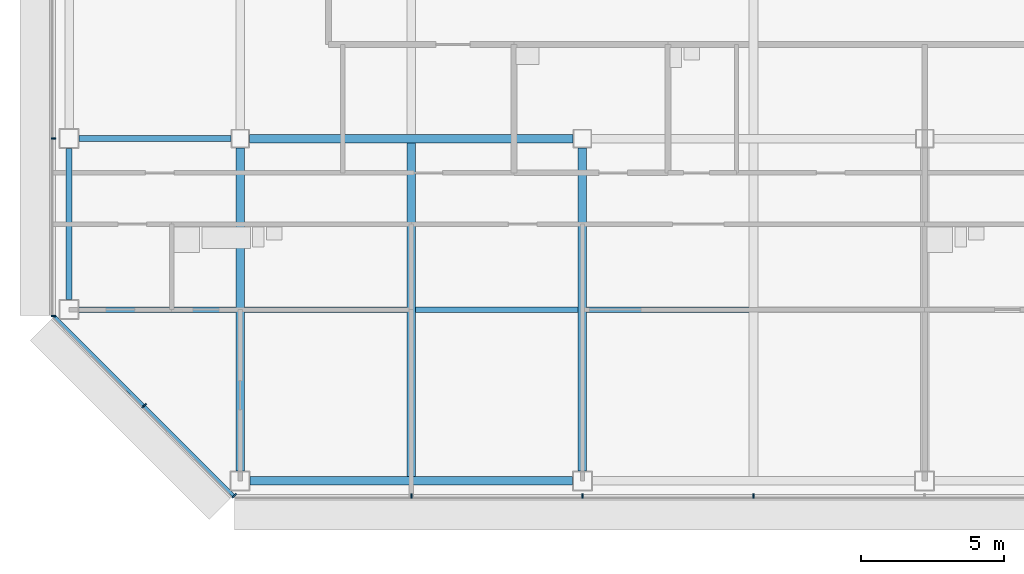
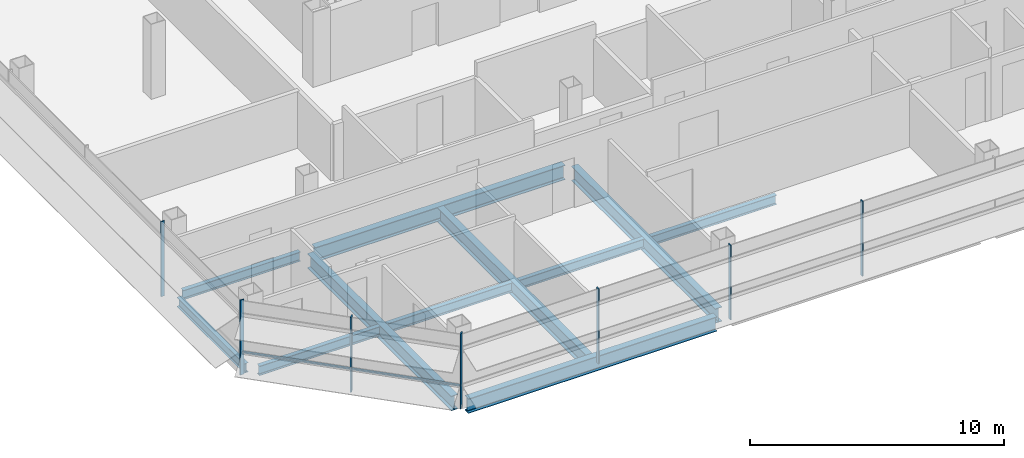
# One storey, part 2 of 27: 11 beams, 8 members, 3 elements without a shape of their own.
"""IFC4 building model written with IfcOpenShell, lengths in metres."""

from ifc_helpers import new_model, si_unit, direction, frame, origin, origin_2d, place, context, subcontext, project, spatial, rectangle, i_section, extrude, material, material_profile, profile_set, type_object, element, aggregate, save


model = new_model("IFC4")

# Units and contexts
model_context = context("Model", 3, precision=1e-05, world=origin(), true_north=direction((0.0, 1.0)))
body_context = subcontext(model_context, "Body", "Model", "MODEL_VIEW")
ifc_project = project(units=[si_unit("LENGTHUNIT", "METRE"), si_unit("AREAUNIT", "SQUARE_METRE"), si_unit("VOLUMEUNIT", "CUBIC_METRE"), si_unit("PLANEANGLEUNIT", "RADIAN"), si_unit("MASSUNIT", "GRAM", prefix="KILO")], contexts=[model_context])

# Site, building, storey
site_placement = place(None, origin())
site = spatial("IfcSite", under=ifc_project, at=site_placement, CompositionType="ELEMENT")
building_placement = place(site_placement, origin())
building = spatial("IfcBuilding", under=site, at=building_placement, Name="Sorahane Residences", CompositionType="ELEMENT")
storey_placement = place(building_placement, frame((0.0, 0.0, 167.199951171875)))
storey = spatial("IfcBuildingStorey", under=building, at=storey_placement, Name="L38", CompositionType="ELEMENT", Elevation=167.199951171875)

# Curtain wall, members
ifc_material_1 = material(Name="Dark low-e glass and black anodised aluminium", Category="aluminium")
curtain_wall_type_1 = type_object("IfcCurtainWallType", Name="Curtain wall CW-1 Typical unitised wall", PredefinedType="NOTDEFINED", material=ifc_material_1)
curtain_wall_1_placement = place(storey_placement, origin())
curtain_wall_1 = element("IfcCurtainWall", 1, at=curtain_wall_1_placement, inside=storey, type_object=curtain_wall_type_1, Name="CW-1 curtain wall L38 W1", PredefinedType="NOTDEFINED")
ifc_material_2 = material(Name="Black anodised aluminium", Category="aluminium")
ifc_material_profile_1 = material_profile(ifc_material_2, rectangle(XDim=0.159912109375, YDim=0.050048828125, at=origin_2d()), Name="Curtain wall mullion CW-1 black anodised aluminium 50x160")
ifc_profile_set_1 = profile_set([ifc_material_profile_1], Name="Black anodised aluminium")
member_type_1 = type_object("IfcMemberType", Name="Curtain wall mullion CW-1 black anodised aluminium 50x160", PredefinedType="MULLION", material=ifc_profile_set_1)
member_1_placement = place(storey_placement, frame((-6.5400390625, 12.0, -0.179931640625), z_axis=(0.0, 0.0, 1.0), x_axis=(-1.0, 0.0, 0.0)))
member_1 = element("IfcMember", 2, at=member_1_placement, type_object=member_type_1, Name="CW-1 mullion L38 W1.6", PredefinedType="MULLION", context=body_context, shape_type="SweptSolid", body=[
    extrude(rectangle(XDim=0.159912109375, YDim=0.050048828125, at=origin_2d()), origin(), (0.0, 0.0, 1.0), 3.60009765625),
])
member_2_placement = place(storey_placement, frame((-6.5400390625, 5.7763671875, -0.179931640625), z_axis=(0.0, 0.0, 1.0), x_axis=(-1.0, 0.0, 0.0)))
member_2 = element("IfcMember", 3, at=member_2_placement, type_object=member_type_1, Name="CW-1 mullion L38 W1.7", PredefinedType="MULLION", context=body_context, shape_type="SweptSolid", body=[
    extrude(rectangle(XDim=0.159912109375, YDim=0.050048828125, at=origin_2d()), origin(), (0.0, 0.0, 1.0), 3.60009765625),
])
aggregate(curtain_wall_1, [member_1, member_2])

curtain_wall_2_placement = place(storey_placement, origin())
curtain_wall_2 = element("IfcCurtainWall", 4, at=curtain_wall_2_placement, inside=storey, type_object=curtain_wall_type_1, Name="CW-1 curtain wall L38 S2", PredefinedType="NOTDEFINED")
member_3_placement = place(storey_placement, frame((6.0, -0.5400390625, -0.179931640625), z_axis=(0.0, 0.0, 1.0), x_axis=(0.0, -1.0, 0.0)))
member_3 = element("IfcMember", 5, at=member_3_placement, type_object=member_type_1, Name="CW-1 mullion L38 S2.2", PredefinedType="MULLION", context=body_context, shape_type="SweptSolid", body=[
    extrude(rectangle(XDim=0.159912109375, YDim=0.050048828125, at=origin_2d()), origin(), (0.0, 0.0, 1.0), 3.60009765625),
])
member_4_placement = place(storey_placement, frame((12.0, -0.5400390625, -0.179931640625), z_axis=(0.0, 0.0, 1.0), x_axis=(0.0, -1.0, 0.0)))
member_4 = element("IfcMember", 6, at=member_4_placement, type_object=member_type_1, Name="CW-1 mullion L38 S2.3", PredefinedType="MULLION", context=body_context, shape_type="SweptSolid", body=[
    extrude(rectangle(XDim=0.159912109375, YDim=0.050048828125, at=origin_2d()), origin(), (0.0, 0.0, 1.0), 3.60009765625),
])
member_5_placement = place(storey_placement, frame((18.0, -0.5400390625, -0.179931640625), z_axis=(0.0, 0.0, 1.0), x_axis=(0.0, -1.0, 0.0)))
member_5 = element("IfcMember", 7, at=member_5_placement, type_object=member_type_1, Name="CW-1 mullion L38 S2.4", PredefinedType="MULLION", context=body_context, shape_type="SweptSolid", body=[
    extrude(rectangle(XDim=0.159912109375, YDim=0.050048828125, at=origin_2d()), origin(), (0.0, 0.0, 1.0), 3.60009765625),
])
aggregate(curtain_wall_2, [member_3, member_4, member_5])

ifc_material_3 = material(Name="Dark low-e glass and black anodised aluminium", Category="aluminium")
curtain_wall_type_2 = type_object("IfcCurtainWallType", Name="Curtain wall CW-2 Chamfer unitised wall", PredefinedType="NOTDEFINED", material=ifc_material_3)
curtain_wall_3_placement = place(storey_placement, origin())
curtain_wall_3 = element("IfcCurtainWall", 8, at=curtain_wall_3_placement, inside=storey, type_object=curtain_wall_type_2, Name="CW-2 curtain wall L38 SW1", PredefinedType="NOTDEFINED")
ifc_material_4 = material(Name="Black anodised aluminium", Category="aluminium")
ifc_material_profile_2 = material_profile(ifc_material_4, rectangle(XDim=0.199951171875, YDim=0.050048828125, at=origin_2d()), Name="Curtain wall mullion CW-2 black anodised aluminium 50x200")
ifc_profile_set_2 = profile_set([ifc_material_profile_2], Name="Black anodised aluminium")
member_type_2 = type_object("IfcMemberType", Name="Curtain wall mullion CW-2 black anodised aluminium 50x200", PredefinedType="MULLION", material=ifc_profile_set_2)
member_6_placement = place(storey_placement, frame((-3.36767578125, 2.63232421875, -0.179931640625), z_axis=(0.0, 0.0, 1.0), x_axis=(-0.707106781187, -0.707106781187, 0.0)))
member_6 = element("IfcMember", 9, at=member_6_placement, type_object=member_type_2, Name="CW-2 mullion L38 SW1.2", PredefinedType="MULLION", context=body_context, shape_type="SweptSolid", body=[
    extrude(rectangle(XDim=0.199951171875, YDim=0.050048828125, at=origin_2d()), origin(), (0.0, 0.0, 1.0), 3.60009765625),
])
member_7_placement = place(storey_placement, frame((-0.209716796875, -0.525634765625, -0.179931640625), z_axis=(0.0, 0.0, 1.0), x_axis=(-0.707106781187, -0.707106781187, 0.0)))
member_7 = element("IfcMember", 10, at=member_7_placement, type_object=member_type_2, Name="CW-2 mullion L38 SW1.3", PredefinedType="MULLION", context=body_context, shape_type="SweptSolid", body=[
    extrude(rectangle(XDim=0.199951171875, YDim=0.050048828125, at=origin_2d()), origin(), (0.0, 0.0, 1.0), 3.60009765625),
])
ifc_material_5 = material(Name="Black anodised aluminium", Category="aluminium")
ifc_material_profile_3 = material_profile(ifc_material_5, rectangle(XDim=0.10009765625, YDim=0.06005859375, at=origin_2d()), Name="Curtain wall transom CW-2 black anodised aluminium 60x100")
ifc_profile_set_3 = profile_set([ifc_material_profile_3], Name="Black anodised aluminium")
member_type_3 = type_object("IfcMemberType", Name="Curtain wall transom CW-2 black anodised aluminium 60x100", PredefinedType="USERDEFINED", material=ifc_profile_set_3)
member_8_placement = place(storey_placement, frame((-6.51513671875, 5.765625, 0.900146484375), z_axis=(0.707106781187, -0.707106781187, 0.0), x_axis=(0.707106781187, 0.707106781187, 0.0)))
member_8 = element("IfcMember", 11, at=member_8_placement, type_object=member_type_3, Name="CW-2 transom L38 SW1", ObjectType="TRANSOM", PredefinedType="USERDEFINED", context=body_context, shape_type="SweptSolid", body=[
    extrude(rectangle(XDim=0.10009765625, YDim=0.06005859375, at=origin_2d()), origin(), (0.0, 0.0, 1.0), 8.88232421875),
])
aggregate(curtain_wall_3, [member_6, member_7, member_8])

# Beams
ifc_material_6 = material(Name="Steel Q355B", Category="steel")
ifc_material_profile_4 = material_profile(ifc_material_6, i_section(OverallWidth=0.199951171875, OverallDepth=0.449951171875, WebThickness=0.009033203125, FlangeThickness=0.013916015625, FilletRadius=0.02001953125, at=origin_2d()), Name="HN 450x200x9x14")
ifc_profile_set_4 = profile_set([ifc_material_profile_4], Name="Steel Q355B")
beam_type_1 = type_object("IfcBeamType", Name="Steel floor beam HN 450x200x9x14 Q355B", PredefinedType="BEAM", material=ifc_profile_set_4)
beam_1_placement = place(storey_placement, frame((-5.64990234375, 12.0, -0.405029296875), z_axis=(1.0, 0.0, 0.0), x_axis=(0.0, 1.0, 0.0)))
element("IfcBeam", 12, at=beam_1_placement, inside=storey, type_object=beam_type_1, Name="Beam L38 005", PredefinedType="BEAM", context=body_context, shape_type="SweptSolid", body=[
    extrude(i_section(OverallWidth=0.199951171875, OverallDepth=0.449951171875, WebThickness=0.009033203125, FlangeThickness=0.013916015625, FilletRadius=0.02001953125, at=origin_2d()), origin(), (0.0, 0.0, 1.0), 5.324951171875),
])
beam_2_placement = place(storey_placement, frame((-6.0, 6.35009765625, -0.405029296875), z_axis=(0.0, 1.0, 0.0), x_axis=(-1.0, 0.0, 0.0)))
element("IfcBeam", 13, at=beam_2_placement, inside=storey, type_object=beam_type_1, Name="Beam L38 020", PredefinedType="BEAM", context=body_context, shape_type="SweptSolid", body=[
    extrude(i_section(OverallWidth=0.199951171875, OverallDepth=0.449951171875, WebThickness=0.009033203125, FlangeThickness=0.013916015625, FilletRadius=0.02001953125, at=origin_2d()), origin(), (0.0, 0.0, 1.0), 5.2998046875),
])
beam_3_placement = place(storey_placement, frame((-5.64990234375, 6.0, -0.405029296875), z_axis=(1.0, 0.0, 0.0), x_axis=(0.0, 1.0, 0.0)))
element("IfcBeam", 14, at=beam_3_placement, inside=storey, type_object=beam_type_1, Name="Beam L38 066", PredefinedType="BEAM", context=body_context, shape_type="SweptSolid", body=[
    extrude(i_section(OverallWidth=0.199951171875, OverallDepth=0.449951171875, WebThickness=0.009033203125, FlangeThickness=0.013916015625, FilletRadius=0.02001953125, at=origin_2d()), origin(), (0.0, 0.0, 1.0), 5.5),
])
for number, where, z_axis, x_axis, name in (
    (15, (0.14990234375, 6.0, -0.405029296875), (1.0, 0.0, 0.0), (0.0, 1.0, 0.0), "Beam L38 067"),
    (16, (6.14990234375, 6.0, -0.405029296875), (1.0, 0.0, 0.0), (0.0, 1.0, 0.0), "Beam L38 068"),
    (17, (12.14990234375, 6.0, -0.405029296875), (1.0, 0.0, 0.0), (0.0, 1.0, 0.0), "Beam L38 069"),
):
    element("IfcBeam", number, at=place(storey_placement, frame(where, z_axis=z_axis, x_axis=x_axis)), inside=storey, type_object=beam_type_1, Name=name, PredefinedType="BEAM", context=body_context, shape_type="SweptSolid", body=[
        extrude(i_section(OverallWidth=0.199951171875, OverallDepth=0.449951171875, WebThickness=0.009033203125, FlangeThickness=0.013916015625, FilletRadius=0.02001953125, at=origin_2d()), origin(), (0.0, 0.0, 1.0), 5.7001953125),
    ])
ifc_material_7 = material(Name="Steel Q355B", Category="steel")
ifc_material_profile_5 = material_profile(ifc_material_7, i_section(OverallWidth=0.300048828125, OverallDepth=0.699951171875, WebThickness=0.012939453125, FlangeThickness=0.02392578125, FilletRadius=0.028076171875, at=origin_2d()), Name="HN 700x300x13x24")
ifc_profile_set_5 = profile_set([ifc_material_profile_5], Name="Steel Q355B")
beam_type_2 = type_object("IfcBeamType", Name="Steel floor beam HN 700x300x13x24 Q355B", PredefinedType="BEAM", material=ifc_profile_set_5)
beam_4_placement = place(storey_placement, frame((0.35009765625, 0.0, -0.530029296875), z_axis=(1.0, 0.0, 0.0), x_axis=(0.0, 1.0, 0.0)))
element("IfcBeam", 18, at=beam_4_placement, inside=storey, type_object=beam_type_2, Name="Beam L38 000", PredefinedType="BEAM", context=body_context, shape_type="SweptSolid", body=[
    extrude(i_section(OverallWidth=0.300048828125, OverallDepth=0.699951171875, WebThickness=0.012939453125, FlangeThickness=0.02392578125, FilletRadius=0.028076171875, at=origin_2d()), origin(), (0.0, 0.0, 1.0), 11.2998046875),
])
beam_5_placement = place(storey_placement, frame((0.324951171875, 12.0, -0.530029296875), z_axis=(1.0, 0.0, 0.0), x_axis=(0.0, 1.0, 0.0)))
element("IfcBeam", 19, at=beam_5_placement, inside=storey, type_object=beam_type_2, Name="Beam L38 006", PredefinedType="BEAM", context=body_context, shape_type="SweptSolid", body=[
    extrude(i_section(OverallWidth=0.300048828125, OverallDepth=0.699951171875, WebThickness=0.012939453125, FlangeThickness=0.02392578125, FilletRadius=0.028076171875, at=origin_2d()), origin(), (0.0, 0.0, 1.0), 11.35009765625),
])
beam_6_placement = place(storey_placement, frame((0.0, 0.35009765625, -0.530029296875), z_axis=(0.0, 1.0, 0.0), x_axis=(-1.0, 0.0, 0.0)))
element("IfcBeam", 20, at=beam_6_placement, inside=storey, type_object=beam_type_2, Name="Beam L38 024", PredefinedType="BEAM", context=body_context, shape_type="SweptSolid", body=[
    extrude(i_section(OverallWidth=0.300048828125, OverallDepth=0.699951171875, WebThickness=0.012939453125, FlangeThickness=0.02392578125, FilletRadius=0.028076171875, at=origin_2d()), origin(), (0.0, 0.0, 1.0), 11.324951171875),
])
beam_7_placement = place(storey_placement, frame((6.0, 0.14990234375, -0.530029296875), z_axis=(0.0, 1.0, 0.0), x_axis=(-1.0, 0.0, 0.0)))
element("IfcBeam", 21, at=beam_7_placement, inside=storey, type_object=beam_type_2, Name="Beam L38 028", PredefinedType="BEAM", context=body_context, shape_type="SweptSolid", body=[
    extrude(i_section(OverallWidth=0.300048828125, OverallDepth=0.699951171875, WebThickness=0.012939453125, FlangeThickness=0.02392578125, FilletRadius=0.028076171875, at=origin_2d()), origin(), (0.0, 0.0, 1.0), 11.7001953125),
])
beam_8_placement = place(storey_placement, frame((12.0, 0.35009765625, -0.530029296875), z_axis=(0.0, 1.0, 0.0), x_axis=(-1.0, 0.0, 0.0)))
element("IfcBeam", 22, at=beam_8_placement, inside=storey, type_object=beam_type_2, Name="Beam L38 034", PredefinedType="BEAM", context=body_context, shape_type="SweptSolid", body=[
    extrude(i_section(OverallWidth=0.300048828125, OverallDepth=0.699951171875, WebThickness=0.012939453125, FlangeThickness=0.02392578125, FilletRadius=0.028076171875, at=origin_2d()), origin(), (0.0, 0.0, 1.0), 11.324951171875),
])

save(model, "model.ifc")
